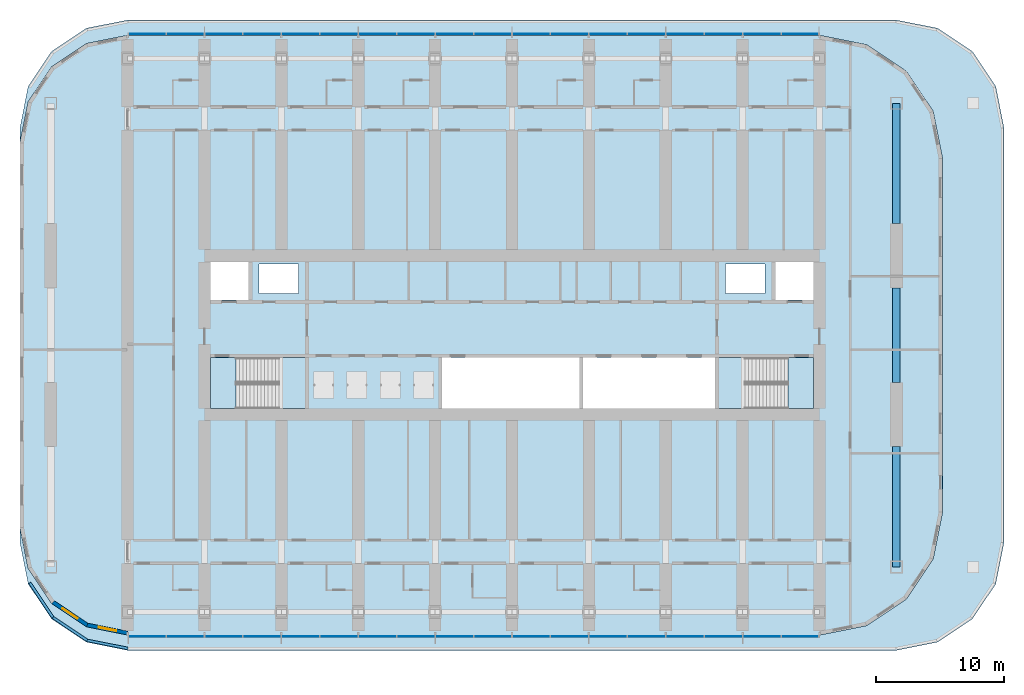
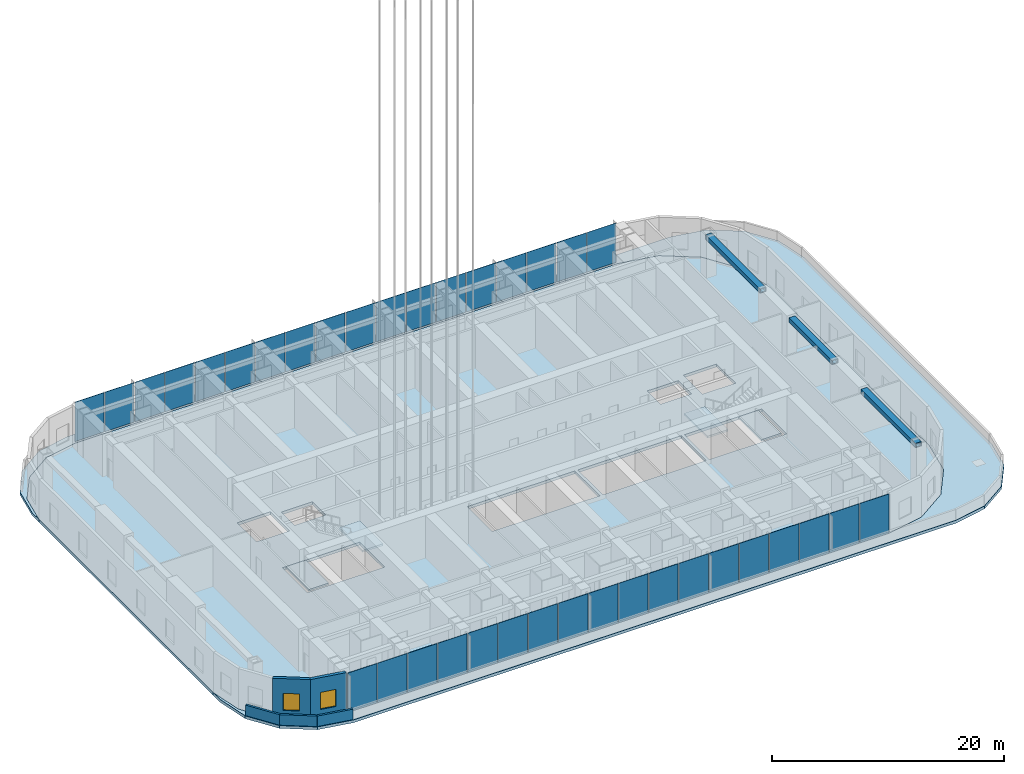
# One storey, part 6 of 31: 36 plates, 6 slabs, 5 walls, 3 beams, 2 windows, 2 openings, 4 elements without a shape of their own.
"""IFC4 building model written with IfcOpenShell, lengths in metres."""

from ifc_helpers import new_model, si_unit, direction, frame, frame_2d, origin, origin_2d, place, context, subcontext, project, spatial, polyline, rectangle, hollow_rectangle, outline, extrude, material, layer, layer_set, material_profile, profile_set, type_object, element, fill, aggregate, save


model = new_model("IFC4")

# Units and contexts
model_context = context("Model", 3, precision=1e-05, world=origin(), true_north=direction((0.0, 1.0)))
body_context = subcontext(model_context, "Body", "Model", "MODEL_VIEW")
ifc_project = project(units=[si_unit("LENGTHUNIT", "METRE"), si_unit("AREAUNIT", "SQUARE_METRE"), si_unit("VOLUMEUNIT", "CUBIC_METRE"), si_unit("PLANEANGLEUNIT", "RADIAN"), si_unit("MASSUNIT", "GRAM", prefix="KILO")], contexts=[model_context])

# Site, building, storey
site_placement = place(None, origin())
site = spatial("IfcSite", under=ifc_project, at=site_placement, CompositionType="ELEMENT")
building_placement = place(site_placement, origin())
building = spatial("IfcBuilding", under=site, at=building_placement, Name="Orbita Commons", CompositionType="ELEMENT")
storey_placement = place(building_placement, frame((0.0, 0.0, 76.14990234375)))
storey = spatial("IfcBuildingStorey", under=building, at=storey_placement, Name="L18", CompositionType="ELEMENT", Elevation=76.14990234375)

# Beams
ifc_material_1 = material(Name="Steel ASTM A572 Gr 50 welded plate", Category="steel")
ifc_material_profile = material_profile(ifc_material_1, hollow_rectangle(XDim=0.60009765625, YDim=0.449951171875, WallThickness=0.06005859375, at=origin_2d()), Name="BOX 450x600x60")
ifc_profile_set = profile_set([ifc_material_profile], Name="Steel ASTM A572 Gr 50 welded plate")
beam_type = type_object("IfcBeamType", Name="Steel end frame link BOX 450x600x60", PredefinedType="BEAM", material=ifc_profile_set)
beam_1_placement = place(storey_placement, frame((72.0, 13.89990234375, 4.025146484375), z_axis=(0.0, 1.0, 0.0), x_axis=(-1.0, 0.0, 0.0)))
element("IfcBeam", 1, at=beam_1_placement, inside=storey, type_object=beam_type, Name="End frame beam 13 B-C L18", PredefinedType="BEAM", context=body_context, shape_type="SweptSolid", body=[
    extrude(hollow_rectangle(XDim=0.60009765625, YDim=0.449951171875, WallThickness=0.06005859375, at=origin_2d()), origin(), (0.0, 0.0, 1.0), 9.400146484375),
])
beam_2_placement = place(storey_placement, frame((72.0, 28.300048828125, 4.025146484375), z_axis=(0.0, 1.0, 0.0), x_axis=(-1.0, 0.0, 0.0)))
element("IfcBeam", 2, at=beam_2_placement, inside=storey, type_object=beam_type, Name="End frame beam 13 C-D L18", PredefinedType="BEAM", context=body_context, shape_type="SweptSolid", body=[
    extrude(hollow_rectangle(XDim=0.60009765625, YDim=0.449951171875, WallThickness=0.06005859375, at=origin_2d()), origin(), (0.0, 0.0, 1.0), 7.39990234375),
])
beam_3_placement = place(storey_placement, frame((72.0, 40.699951171875, 4.025146484375), z_axis=(0.0, 1.0, 0.0), x_axis=(-1.0, 0.0, 0.0)))
element("IfcBeam", 3, at=beam_3_placement, inside=storey, type_object=beam_type, Name="End frame beam 13 D-E L18", PredefinedType="BEAM", context=body_context, shape_type="SweptSolid", body=[
    extrude(hollow_rectangle(XDim=0.60009765625, YDim=0.449951171875, WallThickness=0.06005859375, at=origin_2d()), origin(), (0.0, 0.0, 1.0), 9.400146484375),
])

# Slabs
ifc_material_2 = material(Name="Concrete C40/50", Category="concrete")
ifc_layer_1 = layer(ifc_material_2, 0.300048828125)
ifc_layer_set_1 = layer_set([ifc_layer_1], Name="Concrete C40/50")
slab_type_1 = type_object("IfcSlabType", Name="Floor slab 300", PredefinedType="FLOOR", material=ifc_layer_set_1)
slab_1_placement = place(storey_placement, frame((0.0, 0.0, -0.2998046875)))
element("IfcSlab", 4, at=slab_1_placement, inside=storey, type_object=slab_type_1, Name="Floor slab L18", PredefinedType="FLOOR", context=body_context, shape_type="SweptSolid", body=[
    extrude(outline(polyline([(66.0, 8.60009765625), (69.673828125, 9.330810546875), (72.788330078125, 11.411865234375), (74.869140625, 14.526123046875), (75.60009765625, 18.199951171875), (75.60009765625, 45.800048828125), (74.869140625, 49.473876953125), (72.788330078125, 52.588134765625), (69.673828125, 54.669189453125), (66.0, 55.39990234375), (12.0, 55.39990234375), (8.785400390625, 54.760498046875), (6.060302734375, 52.939697265625), (4.239501953125, 50.214599609375), (3.60009765625, 47.0), (3.60009765625, 17.0), (4.239501953125, 13.785400390625), (6.060302734375, 11.060302734375), (8.785400390625, 9.239501953125), (12.0, 8.60009765625), (66.0, 8.60009765625)]), holes=[polyline([(18.14990234375, 25.949951171875), (25.85009765625, 25.949951171875), (25.85009765625, 30.25), (18.14990234375, 30.25), (18.14990234375, 25.949951171875)]), polyline([(58.14990234375, 25.949951171875), (65.85009765625, 25.949951171875), (65.85009765625, 30.25), (58.14990234375, 30.25), (58.14990234375, 25.949951171875)]), polyline([(18.14990234375, 34.75), (21.449951171875, 34.75), (21.449951171875, 38.050048828125), (18.14990234375, 38.050048828125), (18.14990234375, 34.75)]), polyline([(62.550048828125, 34.75), (65.85009765625, 34.75), (65.85009765625, 38.050048828125), (62.550048828125, 38.050048828125), (62.550048828125, 34.75)]), polyline([(22.25, 35.25), (25.35009765625, 35.25), (25.35009765625, 37.550048828125), (22.25, 37.550048828125), (22.25, 35.25)]), polyline([(58.64990234375, 35.25), (61.75, 35.25), (61.75, 37.550048828125), (58.64990234375, 37.550048828125), (58.64990234375, 35.25)]), polyline([(36.550048828125, 25.949951171875), (47.25, 25.949951171875), (47.25, 30.25), (36.550048828125, 30.25), (36.550048828125, 25.949951171875)]), polyline([(47.550048828125, 25.949951171875), (57.85009765625, 25.949951171875), (57.85009765625, 30.25), (47.550048828125, 30.25), (47.550048828125, 25.949951171875)])]), origin(), (0.0, 0.0, 1.0), 0.2998046875),
])
ifc_material_3 = material(Name="Concrete C40/50", Category="concrete")
ifc_layer_2 = layer(ifc_material_3, 0.300048828125)
ifc_layer_set_2 = layer_set([ifc_layer_2], Name="Concrete C40/50")
slab_type_2 = type_object("IfcSlabType", Name="Green roof slab 300", PredefinedType="ROOF", material=ifc_layer_set_2)
slab_2_placement = place(storey_placement, frame((0.0, 0.0, -0.2998046875)))
element("IfcSlab", 5, at=slab_2_placement, inside=storey, type_object=slab_type_2, Name="Green roof L18", PredefinedType="ROOF", context=body_context, shape_type="SweptSolid", body=[
    extrude(outline(polyline([(3.60009765625, 48.199951171875), (4.239501953125, 51.41455078125), (6.060302734375, 54.1396484375), (8.785400390625, 55.960693359375), (12.0, 56.60009765625), (72.0, 56.60009765625), (75.214599609375, 55.960693359375), (77.939697265625, 54.1396484375), (79.760498046875, 51.41455078125), (80.39990234375, 48.199951171875), (80.39990234375, 15.800048828125), (79.760498046875, 12.58544921875), (77.939697265625, 9.8603515625), (75.214599609375, 8.039306640625), (72.0, 7.39990234375), (12.0, 7.39990234375), (8.785400390625, 8.039306640625), (6.060302734375, 9.8603515625), (4.239501953125, 12.58544921875), (3.60009765625, 15.800048828125), (3.60009765625, 17.0), (4.239501953125, 13.785400390625), (6.060302734375, 11.060302734375), (8.785400390625, 9.239501953125), (12.0, 8.60009765625), (66.0, 8.60009765625), (69.673828125, 9.330810546875), (72.7880859375, 11.411865234375), (74.869140625, 14.526123046875), (75.60009765625, 18.199951171875), (75.60009765625, 45.800048828125), (74.869140625, 49.473876953125), (72.7880859375, 52.588134765625), (69.673828125, 54.669189453125), (66.0, 55.39990234375), (12.0, 55.39990234375), (8.785400390625, 54.760498046875), (6.060302734375, 52.939697265625), (4.239501953125, 50.214599609375), (3.60009765625, 47.0), (3.60009765625, 48.199951171875)])), origin(), (0.0, 0.0, 1.0), 0.2998046875),
])

# Stair, slabs
ifc_material_4 = material(Name="Precast concrete C40/50", Category="concrete")
stair_type_1 = type_object("IfcStairType", Name="Exit stair S1 2 flights 13 risers 173", PredefinedType="HALF_TURN_STAIR", material=ifc_material_4)
stair_1_placement = place(storey_placement, origin())
stair_1 = element("IfcStair", 6, at=stair_1_placement, inside=storey, type_object=stair_type_1, Name="Exit stair S1 L18", PredefinedType="HALF_TURN_STAIR")
ifc_material_5 = material(Name="Concrete C40/50", Category="concrete")
ifc_layer_3 = layer(ifc_material_5, 0.199951171875)
ifc_layer_set_3 = layer_set([ifc_layer_3], Name="Concrete C40/50")
slab_type_3 = type_object("IfcSlabType", Name="Stair landing 200", PredefinedType="LANDING", material=ifc_layer_set_3)
slab_3_placement = place(storey_placement, frame((0.0, 0.0, -0.199951171875)))
slab_3 = element("IfcSlab", 7, at=slab_3_placement, type_object=slab_type_3, Name="S1 landing 1", PredefinedType="LANDING", context=body_context, shape_type="SweptSolid", body=[
    extrude(outline(polyline([(18.47509765625, 26.27490234375), (20.449951171875, 26.27490234375), (20.449951171875, 30.25), (18.47509765625, 30.25), (18.47509765625, 26.27490234375)])), origin(), (0.0, 0.0, 1.0), 0.199951171875),
])
slab_4_placement = place(storey_placement, frame((0.0, 0.0, 2.050048828125)))
slab_4 = element("IfcSlab", 8, at=slab_4_placement, type_object=slab_type_3, Name="S1 landing 2", PredefinedType="LANDING", context=body_context, shape_type="SweptSolid", body=[
    extrude(outline(polyline([(23.81005859375, 26.260009765625), (25.864990234375, 26.260009765625), (25.864990234375, 30.264892578125), (23.81005859375, 30.264892578125), (23.81005859375, 26.260009765625)])), origin(), (0.0, 0.0, 1.0), 0.199951171875),
])
aggregate(stair_1, [slab_3, slab_4])

ifc_material_6 = material(Name="Precast concrete C40/50", Category="concrete")
stair_type_2 = type_object("IfcStairType", Name="Exit stair S2 2 flights 13 risers 173", PredefinedType="HALF_TURN_STAIR", material=ifc_material_6)
stair_2_placement = place(storey_placement, origin())
stair_2 = element("IfcStair", 9, at=stair_2_placement, inside=storey, type_object=stair_type_2, Name="Exit stair S2 L18", PredefinedType="HALF_TURN_STAIR")
slab_5_placement = place(storey_placement, frame((0.0, 0.0, -0.199951171875)))
slab_5 = element("IfcSlab", 10, at=slab_5_placement, type_object=slab_type_3, Name="S2 landing 1", PredefinedType="LANDING", context=body_context, shape_type="SweptSolid", body=[
    extrude(outline(polyline([(63.550048828125, 26.27490234375), (65.52490234375, 26.27490234375), (65.52490234375, 30.25), (63.550048828125, 30.25), (63.550048828125, 26.27490234375)])), origin(), (0.0, 0.0, 1.0), 0.199951171875),
])
slab_6_placement = place(storey_placement, frame((0.0, 0.0, 2.050048828125)))
slab_6 = element("IfcSlab", 11, at=slab_6_placement, type_object=slab_type_3, Name="S2 landing 2", PredefinedType="LANDING", context=body_context, shape_type="SweptSolid", body=[
    extrude(outline(polyline([(58.135009765625, 26.260009765625), (60.18994140625, 26.260009765625), (60.18994140625, 30.264892578125), (58.135009765625, 30.264892578125), (58.135009765625, 26.260009765625)])), origin(), (0.0, 0.0, 1.0), 0.199951171875),
])
aggregate(stair_2, [slab_5, slab_6])

# Curtain wall, plates
ifc_material_7 = material(Name="Anodised aluminium frame, pale silver", Category="aluminium")
curtain_wall_type = type_object("IfcCurtainWallType", Name="Unitised curtain wall CW-S, full-height", PredefinedType="NOTDEFINED", material=ifc_material_7)
curtain_wall_1_placement = place(storey_placement, origin())
curtain_wall_1 = element("IfcCurtainWall", 12, at=curtain_wall_1_placement, inside=storey, type_object=curtain_wall_type, Name="Curtain wall south L18", PredefinedType="NOTDEFINED")
ifc_material_8 = material(Name="Low-iron glass", Category="glass")
ifc_layer_4 = layer(ifc_material_8, 0.031982421875)
ifc_layer_set_4 = layer_set([ifc_layer_4], Name="Low-iron glass")
plate_type = type_object("IfcPlateType", Name="Vision panel, clear low-iron glazing 32", PredefinedType="CURTAIN_PANEL", material=ifc_layer_set_4)
plate_1_placement = place(storey_placement, frame((13.52001953125, 8.489990234375, 0.10009765625), z_axis=(0.0, 0.0, 1.0), x_axis=(1.0, 0.0, 0.0)))
plate_1 = element("IfcPlate", 13, at=plate_1_placement, type_object=plate_type, Name="Panel 1.1 CW-L18-S", PredefinedType="CURTAIN_PANEL", context=body_context, shape_type="SweptSolid", body=[
    extrude(rectangle(XDim=2.8798828125, YDim=0.031982421875, at=origin_2d()), origin(), (0.0, 0.0, 1.0), 4.14990234375),
])
plate_2_placement = place(storey_placement, frame((16.5, 8.489990234375, 0.10009765625), z_axis=(0.0, 0.0, 1.0), x_axis=(1.0, 0.0, 0.0)))
plate_2 = element("IfcPlate", 14, at=plate_2_placement, type_object=plate_type, Name="Panel 2.1 CW-L18-S", PredefinedType="CURTAIN_PANEL", context=body_context, shape_type="SweptSolid", body=[
    extrude(rectangle(XDim=2.919921875, YDim=0.031982421875, at=origin_2d()), origin(), (0.0, 0.0, 1.0), 4.14990234375),
])
plate_3_placement = place(storey_placement, frame((19.5, 8.489990234375, 0.10009765625), z_axis=(0.0, 0.0, 1.0), x_axis=(1.0, 0.0, 0.0)))
plate_3 = element("IfcPlate", 15, at=plate_3_placement, type_object=plate_type, Name="Panel 3.1 CW-L18-S", PredefinedType="CURTAIN_PANEL", context=body_context, shape_type="SweptSolid", body=[
    extrude(rectangle(XDim=2.919921875, YDim=0.031982421875, at=origin_2d()), origin(), (0.0, 0.0, 1.0), 4.14990234375),
])
plate_4_placement = place(storey_placement, frame((22.5, 8.489990234375, 0.10009765625), z_axis=(0.0, 0.0, 1.0), x_axis=(1.0, 0.0, 0.0)))
plate_4 = element("IfcPlate", 16, at=plate_4_placement, type_object=plate_type, Name="Panel 4.1 CW-L18-S", PredefinedType="CURTAIN_PANEL", context=body_context, shape_type="SweptSolid", body=[
    extrude(rectangle(XDim=2.919921875, YDim=0.031982421875, at=origin_2d()), origin(), (0.0, 0.0, 1.0), 4.14990234375),
])
plate_5_placement = place(storey_placement, frame((25.5, 8.489990234375, 0.10009765625), z_axis=(0.0, 0.0, 1.0), x_axis=(1.0, 0.0, 0.0)))
plate_5 = element("IfcPlate", 17, at=plate_5_placement, type_object=plate_type, Name="Panel 5.1 CW-L18-S", PredefinedType="CURTAIN_PANEL", context=body_context, shape_type="SweptSolid", body=[
    extrude(rectangle(XDim=2.919921875, YDim=0.031982421875, at=origin_2d()), origin(), (0.0, 0.0, 1.0), 4.14990234375),
])
plate_6_placement = place(storey_placement, frame((28.5, 8.489990234375, 0.10009765625), z_axis=(0.0, 0.0, 1.0), x_axis=(1.0, 0.0, 0.0)))
plate_6 = element("IfcPlate", 18, at=plate_6_placement, type_object=plate_type, Name="Panel 6.1 CW-L18-S", PredefinedType="CURTAIN_PANEL", context=body_context, shape_type="SweptSolid", body=[
    extrude(rectangle(XDim=2.919921875, YDim=0.031982421875, at=origin_2d()), origin(), (0.0, 0.0, 1.0), 4.14990234375),
])
plate_7_placement = place(storey_placement, frame((31.5, 8.489990234375, 0.10009765625), z_axis=(0.0, 0.0, 1.0), x_axis=(1.0, 0.0, 0.0)))
plate_7 = element("IfcPlate", 19, at=plate_7_placement, type_object=plate_type, Name="Panel 7.1 CW-L18-S", PredefinedType="CURTAIN_PANEL", context=body_context, shape_type="SweptSolid", body=[
    extrude(rectangle(XDim=2.919921875, YDim=0.031982421875, at=origin_2d()), origin(), (0.0, 0.0, 1.0), 4.14990234375),
])
plate_8_placement = place(storey_placement, frame((34.5, 8.489990234375, 0.10009765625), z_axis=(0.0, 0.0, 1.0), x_axis=(1.0, 0.0, 0.0)))
plate_8 = element("IfcPlate", 20, at=plate_8_placement, type_object=plate_type, Name="Panel 8.1 CW-L18-S", PredefinedType="CURTAIN_PANEL", context=body_context, shape_type="SweptSolid", body=[
    extrude(rectangle(XDim=2.919921875, YDim=0.031982421875, at=origin_2d()), origin(), (0.0, 0.0, 1.0), 4.14990234375),
])
plate_9_placement = place(storey_placement, frame((37.5, 8.489990234375, 0.10009765625), z_axis=(0.0, 0.0, 1.0), x_axis=(1.0, 0.0, 0.0)))
plate_9 = element("IfcPlate", 21, at=plate_9_placement, type_object=plate_type, Name="Panel 9.1 CW-L18-S", PredefinedType="CURTAIN_PANEL", context=body_context, shape_type="SweptSolid", body=[
    extrude(rectangle(XDim=2.919921875, YDim=0.031982421875, at=origin_2d()), origin(), (0.0, 0.0, 1.0), 4.14990234375),
])
plate_10_placement = place(storey_placement, frame((40.5, 8.489990234375, 0.10009765625), z_axis=(0.0, 0.0, 1.0), x_axis=(1.0, 0.0, 0.0)))
plate_10 = element("IfcPlate", 22, at=plate_10_placement, type_object=plate_type, Name="Panel 10.1 CW-L18-S", PredefinedType="CURTAIN_PANEL", context=body_context, shape_type="SweptSolid", body=[
    extrude(rectangle(XDim=2.919921875, YDim=0.031982421875, at=origin_2d()), origin(), (0.0, 0.0, 1.0), 4.14990234375),
])
plate_11_placement = place(storey_placement, frame((43.5, 8.489990234375, 0.10009765625), z_axis=(0.0, 0.0, 1.0), x_axis=(1.0, 0.0, 0.0)))
plate_11 = element("IfcPlate", 23, at=plate_11_placement, type_object=plate_type, Name="Panel 11.1 CW-L18-S", PredefinedType="CURTAIN_PANEL", context=body_context, shape_type="SweptSolid", body=[
    extrude(rectangle(XDim=2.919921875, YDim=0.031982421875, at=origin_2d()), origin(), (0.0, 0.0, 1.0), 4.14990234375),
])
plate_12_placement = place(storey_placement, frame((46.5, 8.489990234375, 0.10009765625), z_axis=(0.0, 0.0, 1.0), x_axis=(1.0, 0.0, 0.0)))
plate_12 = element("IfcPlate", 24, at=plate_12_placement, type_object=plate_type, Name="Panel 12.1 CW-L18-S", PredefinedType="CURTAIN_PANEL", context=body_context, shape_type="SweptSolid", body=[
    extrude(rectangle(XDim=2.919921875, YDim=0.031982421875, at=origin_2d()), origin(), (0.0, 0.0, 1.0), 4.14990234375),
])
plate_13_placement = place(storey_placement, frame((49.5, 8.489990234375, 0.10009765625), z_axis=(0.0, 0.0, 1.0), x_axis=(1.0, 0.0, 0.0)))
plate_13 = element("IfcPlate", 25, at=plate_13_placement, type_object=plate_type, Name="Panel 13.1 CW-L18-S", PredefinedType="CURTAIN_PANEL", context=body_context, shape_type="SweptSolid", body=[
    extrude(rectangle(XDim=2.919921875, YDim=0.031982421875, at=origin_2d()), origin(), (0.0, 0.0, 1.0), 4.14990234375),
])
plate_14_placement = place(storey_placement, frame((52.5, 8.489990234375, 0.10009765625), z_axis=(0.0, 0.0, 1.0), x_axis=(1.0, 0.0, 0.0)))
plate_14 = element("IfcPlate", 26, at=plate_14_placement, type_object=plate_type, Name="Panel 14.1 CW-L18-S", PredefinedType="CURTAIN_PANEL", context=body_context, shape_type="SweptSolid", body=[
    extrude(rectangle(XDim=2.919921875, YDim=0.031982421875, at=origin_2d()), origin(), (0.0, 0.0, 1.0), 4.14990234375),
])
plate_15_placement = place(storey_placement, frame((55.5, 8.489990234375, 0.10009765625), z_axis=(0.0, 0.0, 1.0), x_axis=(1.0, 0.0, 0.0)))
plate_15 = element("IfcPlate", 27, at=plate_15_placement, type_object=plate_type, Name="Panel 15.1 CW-L18-S", PredefinedType="CURTAIN_PANEL", context=body_context, shape_type="SweptSolid", body=[
    extrude(rectangle(XDim=2.919921875, YDim=0.031982421875, at=origin_2d()), origin(), (0.0, 0.0, 1.0), 4.14990234375),
])
plate_16_placement = place(storey_placement, frame((58.5, 8.489990234375, 0.10009765625), z_axis=(0.0, 0.0, 1.0), x_axis=(1.0, 0.0, 0.0)))
plate_16 = element("IfcPlate", 28, at=plate_16_placement, type_object=plate_type, Name="Panel 16.1 CW-L18-S", PredefinedType="CURTAIN_PANEL", context=body_context, shape_type="SweptSolid", body=[
    extrude(rectangle(XDim=2.919921875, YDim=0.031982421875, at=origin_2d()), origin(), (0.0, 0.0, 1.0), 4.14990234375),
])
plate_17_placement = place(storey_placement, frame((61.5, 8.489990234375, 0.10009765625), z_axis=(0.0, 0.0, 1.0), x_axis=(1.0, 0.0, 0.0)))
plate_17 = element("IfcPlate", 29, at=plate_17_placement, type_object=plate_type, Name="Panel 17.1 CW-L18-S", PredefinedType="CURTAIN_PANEL", context=body_context, shape_type="SweptSolid", body=[
    extrude(rectangle(XDim=2.919921875, YDim=0.031982421875, at=origin_2d()), origin(), (0.0, 0.0, 1.0), 4.14990234375),
])
plate_18_placement = place(storey_placement, frame((64.47998046875, 8.489990234375, 0.10009765625), z_axis=(0.0, 0.0, 1.0), x_axis=(1.0, 0.0, 0.0)))
plate_18 = element("IfcPlate", 30, at=plate_18_placement, type_object=plate_type, Name="Panel 18.1 CW-L18-S", PredefinedType="CURTAIN_PANEL", context=body_context, shape_type="SweptSolid", body=[
    extrude(rectangle(XDim=2.8798828125, YDim=0.031982421875, at=origin_2d()), origin(), (0.0, 0.0, 1.0), 4.14990234375),
])
aggregate(curtain_wall_1, [plate_1, plate_2, plate_3, plate_4, plate_5, plate_6, plate_7, plate_8, plate_9, plate_10, plate_11, plate_12, plate_13, plate_14, plate_15, plate_16, plate_17, plate_18])

curtain_wall_2_placement = place(storey_placement, origin())
curtain_wall_2 = element("IfcCurtainWall", 31, at=curtain_wall_2_placement, inside=storey, type_object=curtain_wall_type, Name="Curtain wall north L18", PredefinedType="NOTDEFINED")
plate_19_placement = place(storey_placement, frame((64.47998046875, 55.510009765625, 0.10009765625), z_axis=(0.0, 0.0, 1.0), x_axis=(-1.0, 0.0, 0.0)))
plate_19 = element("IfcPlate", 32, at=plate_19_placement, type_object=plate_type, Name="Panel 1.1 CW-L18-N", PredefinedType="CURTAIN_PANEL", context=body_context, shape_type="SweptSolid", body=[
    extrude(rectangle(XDim=2.8798828125, YDim=0.031982421875, at=origin_2d()), origin(), (0.0, 0.0, 1.0), 4.14990234375),
])
plate_20_placement = place(storey_placement, frame((61.5, 55.510009765625, 0.10009765625), z_axis=(0.0, 0.0, 1.0), x_axis=(-1.0, 0.0, 0.0)))
plate_20 = element("IfcPlate", 33, at=plate_20_placement, type_object=plate_type, Name="Panel 2.1 CW-L18-N", PredefinedType="CURTAIN_PANEL", context=body_context, shape_type="SweptSolid", body=[
    extrude(rectangle(XDim=2.919921875, YDim=0.031982421875, at=origin_2d()), origin(), (0.0, 0.0, 1.0), 4.14990234375),
])
plate_21_placement = place(storey_placement, frame((58.5, 55.510009765625, 0.10009765625), z_axis=(0.0, 0.0, 1.0), x_axis=(-1.0, 0.0, 0.0)))
plate_21 = element("IfcPlate", 34, at=plate_21_placement, type_object=plate_type, Name="Panel 3.1 CW-L18-N", PredefinedType="CURTAIN_PANEL", context=body_context, shape_type="SweptSolid", body=[
    extrude(rectangle(XDim=2.919921875, YDim=0.031982421875, at=origin_2d()), origin(), (0.0, 0.0, 1.0), 4.14990234375),
])
plate_22_placement = place(storey_placement, frame((55.5, 55.510009765625, 0.10009765625), z_axis=(0.0, 0.0, 1.0), x_axis=(-1.0, 0.0, 0.0)))
plate_22 = element("IfcPlate", 35, at=plate_22_placement, type_object=plate_type, Name="Panel 4.1 CW-L18-N", PredefinedType="CURTAIN_PANEL", context=body_context, shape_type="SweptSolid", body=[
    extrude(rectangle(XDim=2.919921875, YDim=0.031982421875, at=origin_2d()), origin(), (0.0, 0.0, 1.0), 4.14990234375),
])
plate_23_placement = place(storey_placement, frame((52.5, 55.510009765625, 0.10009765625), z_axis=(0.0, 0.0, 1.0), x_axis=(-1.0, 0.0, 0.0)))
plate_23 = element("IfcPlate", 36, at=plate_23_placement, type_object=plate_type, Name="Panel 5.1 CW-L18-N", PredefinedType="CURTAIN_PANEL", context=body_context, shape_type="SweptSolid", body=[
    extrude(rectangle(XDim=2.919921875, YDim=0.031982421875, at=origin_2d()), origin(), (0.0, 0.0, 1.0), 4.14990234375),
])
plate_24_placement = place(storey_placement, frame((49.5, 55.510009765625, 0.10009765625), z_axis=(0.0, 0.0, 1.0), x_axis=(-1.0, 0.0, 0.0)))
plate_24 = element("IfcPlate", 37, at=plate_24_placement, type_object=plate_type, Name="Panel 6.1 CW-L18-N", PredefinedType="CURTAIN_PANEL", context=body_context, shape_type="SweptSolid", body=[
    extrude(rectangle(XDim=2.919921875, YDim=0.031982421875, at=origin_2d()), origin(), (0.0, 0.0, 1.0), 4.14990234375),
])
plate_25_placement = place(storey_placement, frame((46.5, 55.510009765625, 0.10009765625), z_axis=(0.0, 0.0, 1.0), x_axis=(-1.0, 0.0, 0.0)))
plate_25 = element("IfcPlate", 38, at=plate_25_placement, type_object=plate_type, Name="Panel 7.1 CW-L18-N", PredefinedType="CURTAIN_PANEL", context=body_context, shape_type="SweptSolid", body=[
    extrude(rectangle(XDim=2.919921875, YDim=0.031982421875, at=origin_2d()), origin(), (0.0, 0.0, 1.0), 4.14990234375),
])
plate_26_placement = place(storey_placement, frame((43.5, 55.510009765625, 0.10009765625), z_axis=(0.0, 0.0, 1.0), x_axis=(-1.0, 0.0, 0.0)))
plate_26 = element("IfcPlate", 39, at=plate_26_placement, type_object=plate_type, Name="Panel 8.1 CW-L18-N", PredefinedType="CURTAIN_PANEL", context=body_context, shape_type="SweptSolid", body=[
    extrude(rectangle(XDim=2.919921875, YDim=0.031982421875, at=origin_2d()), origin(), (0.0, 0.0, 1.0), 4.14990234375),
])
plate_27_placement = place(storey_placement, frame((40.5, 55.510009765625, 0.10009765625), z_axis=(0.0, 0.0, 1.0), x_axis=(-1.0, 0.0, 0.0)))
plate_27 = element("IfcPlate", 40, at=plate_27_placement, type_object=plate_type, Name="Panel 9.1 CW-L18-N", PredefinedType="CURTAIN_PANEL", context=body_context, shape_type="SweptSolid", body=[
    extrude(rectangle(XDim=2.919921875, YDim=0.031982421875, at=origin_2d()), origin(), (0.0, 0.0, 1.0), 4.14990234375),
])
plate_28_placement = place(storey_placement, frame((37.5, 55.510009765625, 0.10009765625), z_axis=(0.0, 0.0, 1.0), x_axis=(-1.0, 0.0, 0.0)))
plate_28 = element("IfcPlate", 41, at=plate_28_placement, type_object=plate_type, Name="Panel 10.1 CW-L18-N", PredefinedType="CURTAIN_PANEL", context=body_context, shape_type="SweptSolid", body=[
    extrude(rectangle(XDim=2.919921875, YDim=0.031982421875, at=origin_2d()), origin(), (0.0, 0.0, 1.0), 4.14990234375),
])
plate_29_placement = place(storey_placement, frame((34.5, 55.510009765625, 0.10009765625), z_axis=(0.0, 0.0, 1.0), x_axis=(-1.0, 0.0, 0.0)))
plate_29 = element("IfcPlate", 42, at=plate_29_placement, type_object=plate_type, Name="Panel 11.1 CW-L18-N", PredefinedType="CURTAIN_PANEL", context=body_context, shape_type="SweptSolid", body=[
    extrude(rectangle(XDim=2.919921875, YDim=0.031982421875, at=origin_2d()), origin(), (0.0, 0.0, 1.0), 4.14990234375),
])
plate_30_placement = place(storey_placement, frame((31.5, 55.510009765625, 0.10009765625), z_axis=(0.0, 0.0, 1.0), x_axis=(-1.0, 0.0, 0.0)))
plate_30 = element("IfcPlate", 43, at=plate_30_placement, type_object=plate_type, Name="Panel 12.1 CW-L18-N", PredefinedType="CURTAIN_PANEL", context=body_context, shape_type="SweptSolid", body=[
    extrude(rectangle(XDim=2.919921875, YDim=0.031982421875, at=origin_2d()), origin(), (0.0, 0.0, 1.0), 4.14990234375),
])
plate_31_placement = place(storey_placement, frame((28.5, 55.510009765625, 0.10009765625), z_axis=(0.0, 0.0, 1.0), x_axis=(-1.0, 0.0, 0.0)))
plate_31 = element("IfcPlate", 44, at=plate_31_placement, type_object=plate_type, Name="Panel 13.1 CW-L18-N", PredefinedType="CURTAIN_PANEL", context=body_context, shape_type="SweptSolid", body=[
    extrude(rectangle(XDim=2.919921875, YDim=0.031982421875, at=origin_2d()), origin(), (0.0, 0.0, 1.0), 4.14990234375),
])
plate_32_placement = place(storey_placement, frame((25.5, 55.510009765625, 0.10009765625), z_axis=(0.0, 0.0, 1.0), x_axis=(-1.0, 0.0, 0.0)))
plate_32 = element("IfcPlate", 45, at=plate_32_placement, type_object=plate_type, Name="Panel 14.1 CW-L18-N", PredefinedType="CURTAIN_PANEL", context=body_context, shape_type="SweptSolid", body=[
    extrude(rectangle(XDim=2.919921875, YDim=0.031982421875, at=origin_2d()), origin(), (0.0, 0.0, 1.0), 4.14990234375),
])
plate_33_placement = place(storey_placement, frame((22.5, 55.510009765625, 0.10009765625), z_axis=(0.0, 0.0, 1.0), x_axis=(-1.0, 0.0, 0.0)))
plate_33 = element("IfcPlate", 46, at=plate_33_placement, type_object=plate_type, Name="Panel 15.1 CW-L18-N", PredefinedType="CURTAIN_PANEL", context=body_context, shape_type="SweptSolid", body=[
    extrude(rectangle(XDim=2.919921875, YDim=0.031982421875, at=origin_2d()), origin(), (0.0, 0.0, 1.0), 4.14990234375),
])
plate_34_placement = place(storey_placement, frame((19.5, 55.510009765625, 0.10009765625), z_axis=(0.0, 0.0, 1.0), x_axis=(-1.0, 0.0, 0.0)))
plate_34 = element("IfcPlate", 47, at=plate_34_placement, type_object=plate_type, Name="Panel 16.1 CW-L18-N", PredefinedType="CURTAIN_PANEL", context=body_context, shape_type="SweptSolid", body=[
    extrude(rectangle(XDim=2.919921875, YDim=0.031982421875, at=origin_2d()), origin(), (0.0, 0.0, 1.0), 4.14990234375),
])
plate_35_placement = place(storey_placement, frame((16.5, 55.510009765625, 0.10009765625), z_axis=(0.0, 0.0, 1.0), x_axis=(-1.0, 0.0, 0.0)))
plate_35 = element("IfcPlate", 48, at=plate_35_placement, type_object=plate_type, Name="Panel 17.1 CW-L18-N", PredefinedType="CURTAIN_PANEL", context=body_context, shape_type="SweptSolid", body=[
    extrude(rectangle(XDim=2.919921875, YDim=0.031982421875, at=origin_2d()), origin(), (0.0, 0.0, 1.0), 4.14990234375),
])
plate_36_placement = place(storey_placement, frame((13.52001953125, 55.510009765625, 0.10009765625), z_axis=(0.0, 0.0, 1.0), x_axis=(-1.0, 0.0, 0.0)))
plate_36 = element("IfcPlate", 49, at=plate_36_placement, type_object=plate_type, Name="Panel 18.1 CW-L18-N", PredefinedType="CURTAIN_PANEL", context=body_context, shape_type="SweptSolid", body=[
    extrude(rectangle(XDim=2.8798828125, YDim=0.031982421875, at=origin_2d()), origin(), (0.0, 0.0, 1.0), 4.14990234375),
])
aggregate(curtain_wall_2, [plate_19, plate_20, plate_21, plate_22, plate_23, plate_24, plate_25, plate_26, plate_27, plate_28, plate_29, plate_30, plate_31, plate_32, plate_33, plate_34, plate_35, plate_36])

# Wall, opening, window
ifc_material_9 = material(Name="Precast concrete C40/50, white board-marked finish", Category="concrete")
ifc_layer_5 = layer(ifc_material_9, 0.300048828125)
ifc_layer_set_5 = layer_set([ifc_layer_5], Name="Precast concrete C40/50, white board-marked finish")
wall_type_1 = type_object("IfcWallType", Name="Precast concrete end shield 300", PredefinedType="SOLIDWALL", material=ifc_layer_set_5)
wall_1_placement = place(storey_placement, frame((6.16650390625, 11.16650390625, 0.0), z_axis=(0.0, 0.0, 1.0), x_axis=(0.831443069936, -0.555609954424, 0.0)))
wall_1 = element("IfcWall", 50, at=wall_1_placement, inside=storey, type_object=wall_type_1, Name="End shield SW chord 3 L18", PredefinedType="SOLIDWALL", context=body_context, shape_type="SweptSolid", body=[
    extrude(outline(polyline([(-0.02978515625, -0.14990234375), (3.2490234375, -0.14990234375), (3.189453125, 0.14990234375), (0.02978515625, 0.14990234375), (-0.02978515625, -0.14990234375)])), origin(), (0.0, 0.0, 1.0), 4.25),
])
opening_1_placement = place(wall_1_placement, frame((0.909423828125, 0.0, 0.89990234375)))
opening_1 = element("IfcOpeningElement", 51, at=opening_1_placement, cuts=wall_1, Name="Opening W02", PredefinedType="OPENING", context=body_context, shape_type="SweptSolid", body=[
    extrude(rectangle(XDim=1.39990234375, YDim=1.800048828125, at=frame_2d((0.699951171875, 0.89990234375))), frame((0.0, 0.159912109375, 0.0), z_axis=(0.0, -1.0, 0.0), x_axis=(1.0, 0.0, 0.0)), (0.0, 0.0, 1.0), 0.320068359375),
])
ifc_material_10 = material(Name="Aluminium frame, clear double glazing", Category="aluminium")
window_type = type_object("IfcWindowType", Name="Deep-set window 1400x1800", PartitioningType="SINGLE_PANEL", PredefinedType="WINDOW", material=ifc_material_10)
window_1_placement = place(opening_1_placement, origin())
window_1 = element("IfcWindow", 52, at=window_1_placement, inside=storey, type_object=window_type, Name="Window L18-SW2", OverallHeight=1.800048828125, OverallWidth=1.39990234375, PartitioningType="SINGLE_PANEL", PredefinedType="WINDOW", context=body_context, shape_type="SweptSolid", body=[
    extrude(rectangle(XDim=1.39990234375, YDim=1.800048828125, at=frame_2d((0.699951171875, 0.89990234375))), frame((0.0, 0.030029296875, 0.0), z_axis=(0.0, -1.0, 0.0), x_axis=(1.0, 0.0, 0.0)), (0.0, 0.0, 1.0), 0.06005859375),
])
fill(opening_1, window_1)

wall_2_placement = place(storey_placement, frame((8.843017578125, 9.3779296875, 0.0), z_axis=(0.0, 0.0, 1.0), x_axis=(0.980787251524, -0.195080412259, 0.0)))
wall_2 = element("IfcWall", 53, at=wall_2_placement, inside=storey, type_object=wall_type_1, Name="End shield SW chord 4 L18", PredefinedType="SOLIDWALL", context=body_context, shape_type="SweptSolid", body=[
    extrude(outline(polyline([(-0.02978515625, -0.14990234375), (3.24853515625, -0.14990234375), (3.18896484375, 0.14990234375), (0.02978515625, 0.14990234375), (-0.02978515625, -0.14990234375)])), origin(), (0.0, 0.0, 1.0), 4.25),
])
opening_2_placement = place(wall_2_placement, frame((0.909423828125, 0.0, 0.89990234375)))
opening_2 = element("IfcOpeningElement", 54, at=opening_2_placement, cuts=wall_2, Name="Opening W02", PredefinedType="OPENING", context=body_context, shape_type="SweptSolid", body=[
    extrude(rectangle(XDim=1.39990234375, YDim=1.800048828125, at=frame_2d((0.699951171875, 0.89990234375))), frame((0.0, 0.159912109375, 0.0), z_axis=(0.0, -1.0, 0.0), x_axis=(1.0, 0.0, 0.0)), (0.0, 0.0, 1.0), 0.320068359375),
])
window_2_placement = place(opening_2_placement, origin())
window_2 = element("IfcWindow", 55, at=window_2_placement, inside=storey, type_object=window_type, Name="Window L18-SW3", OverallHeight=1.800048828125, OverallWidth=1.39990234375, PartitioningType="SINGLE_PANEL", PredefinedType="WINDOW", context=body_context, shape_type="SweptSolid", body=[
    extrude(rectangle(XDim=1.39990234375, YDim=1.800048828125, at=frame_2d((0.699951171875, 0.89990234375))), frame((0.0, 0.030029296875, 0.0), z_axis=(0.0, -1.0, 0.0), x_axis=(1.0, 0.0, 0.0)), (0.0, 0.0, 1.0), 0.06005859375),
])
fill(opening_2, window_2)

# Walls
ifc_material_11 = material(Name="Precast concrete C40/50, white board-marked finish", Category="concrete")
ifc_layer_6 = layer(ifc_material_11, 0.199951171875)
ifc_layer_set_6 = layer_set([ifc_layer_6], Name="Precast concrete C40/50, white board-marked finish")
wall_type_2 = type_object("IfcWallType", Name="Precast parapet 200", PredefinedType="PARAPET", material=ifc_layer_set_6)
wall_3_placement = place(storey_placement, frame((12.014892578125, 7.550048828125, 0.0), z_axis=(0.0, 0.0, 1.0), x_axis=(-0.980792126237, 0.195055902531, 0.0)))
element("IfcWall", 56, at=wall_3_placement, inside=storey, type_object=wall_type_2, Name="Parapet L18 1.15", PredefinedType="PARAPET", context=body_context, shape_type="SweptSolid", body=[
    extrude(rectangle(XDim=3.23291015625, YDim=0.199951171875, at=frame_2d((1.616455078125, 0.0))), origin(), (0.0, 0.0, 1.0), 1.10009765625),
])
wall_4_placement = place(storey_placement, frame((8.843994140625, 8.1806640625, 0.0), z_axis=(0.0, 0.0, 1.0), x_axis=(-0.831454530953, 0.555592803191, 0.0)))
element("IfcWall", 57, at=wall_4_placement, inside=storey, type_object=wall_type_2, Name="Parapet L18 1.16", PredefinedType="PARAPET", context=body_context, shape_type="SweptSolid", body=[
    extrude(rectangle(XDim=3.218017578125, YDim=0.199951171875, at=frame_2d((1.60888671875, 0.0))), origin(), (0.0, 0.0, 1.0), 1.10009765625),
])
wall_5_placement = place(storey_placement, frame((6.16845703125, 9.968505859375, 0.0), z_axis=(0.0, 0.0, 1.0), x_axis=(-0.555584580696, 0.831460025312, 0.0)))
element("IfcWall", 58, at=wall_5_placement, inside=storey, type_object=wall_type_2, Name="Parapet L18 1.17", PredefinedType="PARAPET", context=body_context, shape_type="SweptSolid", body=[
    extrude(rectangle(XDim=3.247802734375, YDim=0.199951171875, at=frame_2d((1.6240234375, 0.0))), origin(), (0.0, 0.0, 1.0), 1.10009765625),
])

save(model, "model.ifc")
